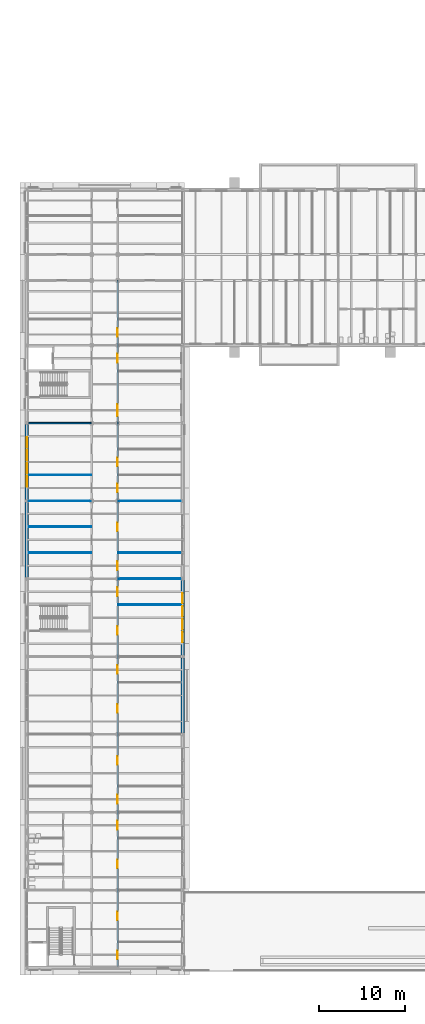
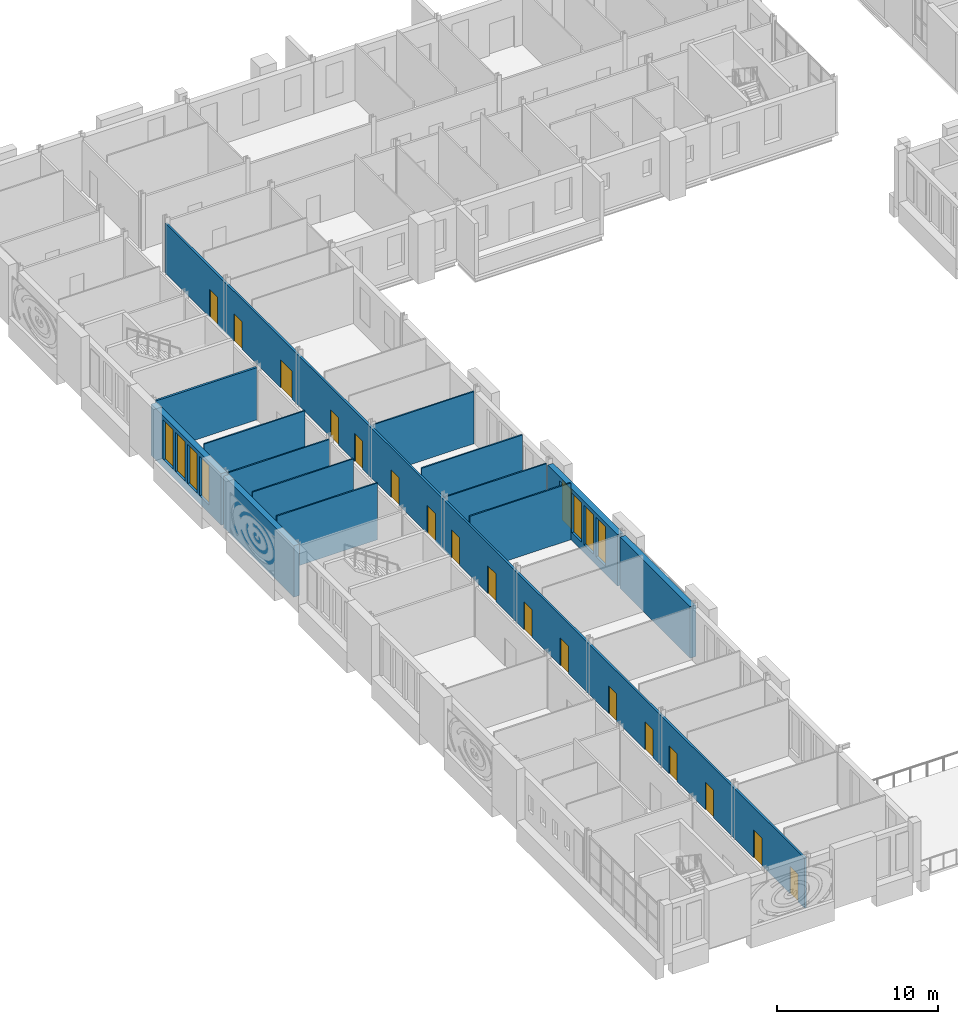
# One storey, part 72 of 134: 17 doors, 14 walls, 8 windows, 25 openings.
"""IFC4 building model written with IfcOpenShell, lengths in metres."""

from ifc_helpers import new_model, si_unit, direction, frame, frame_2d, origin, place, context, subcontext, project, spatial, rectangle, extrude, material, layer, layer_set, type_object, element, fill, save


model = new_model("IFC4")

# Units and contexts
model_context = context("Model", 3, precision=1e-05, world=origin(), true_north=direction((0.0, 1.0)))
body_context = subcontext(model_context, "Body", "Model", "MODEL_VIEW")
ifc_project = project(units=[si_unit("LENGTHUNIT", "METRE"), si_unit("AREAUNIT", "SQUARE_METRE"), si_unit("VOLUMEUNIT", "CUBIC_METRE"), si_unit("PLANEANGLEUNIT", "RADIAN"), si_unit("MASSUNIT", "GRAM", prefix="KILO")], contexts=[model_context])

# Site, building, storey
site_placement = place(None, origin())
site = spatial("IfcSite", under=ifc_project, at=site_placement, CompositionType="ELEMENT")
building_placement = place(site_placement, origin())
building = spatial("IfcBuilding", under=site, at=building_placement, Name="Golden Quay Civic Hall", CompositionType="ELEMENT")
storey_placement = place(building_placement, frame((0.0, 0.0, 5.39990234375)))
storey = spatial("IfcBuildingStorey", under=building, at=storey_placement, Name="L01", CompositionType="ELEMENT", Elevation=5.39990234375)

# Walls
ifc_material_1 = material(Name="Plasterboard on steel studs", Category="steel")
ifc_layer_1 = layer(ifc_material_1, 0.10009765625)
ifc_layer_set_1 = layer_set([ifc_layer_1], Name="Partition 100 stud")
wall_type_1 = type_object("IfcWallType", Name="Partition 100 stud", PredefinedType="PARTITIONING", material=ifc_layer_set_1)
for number, where, z_axis, x_axis, name in (
    (1, (0.199951171875, 39.0, 0.0), (0.0, 0.0, 1.0), (1.0, 0.0, 0.0), "Partition L01-005"),
    (2, (0.199951171875, 42.0, 0.0), (0.0, 0.0, 1.0), (1.0, 0.0, 0.0), "Partition L01-006"),
):
    element("IfcWall", number, at=place(storey_placement, frame(where, z_axis=z_axis, x_axis=x_axis)), inside=storey, type_object=wall_type_1, Name=name, PredefinedType="PARTITIONING", context=body_context, shape_type="SweptSolid", body=[
        extrude(rectangle(XDim=7.22509765625, YDim=0.10009765625, at=frame_2d((3.612548828125, 0.0))), origin(), (0.0, 0.0, 1.0), 4.300048828125),
    ])
wall_1_placement = place(storey_placement, frame((0.199951171875, 45.0, 0.0), z_axis=(0.0, 0.0, 1.0), x_axis=(1.0, 0.0, 0.0)))
element("IfcWall", 3, at=wall_1_placement, inside=storey, type_object=wall_type_1, Name="Partition L01-007", PredefinedType="PARTITIONING", context=body_context, shape_type="SweptSolid", body=[
    extrude(rectangle(XDim=7.22509765625, YDim=0.10009765625, at=frame_2d((3.612548828125, 0.0))), origin(), (0.0, 0.0, 1.0), 3.9501953125),
])
for number, where, z_axis, x_axis, name in (
    (4, (0.199951171875, 48.0, 0.0), (0.0, 0.0, 1.0), (1.0, 0.0, 0.0), "Partition L01-008"),
    (5, (10.574951171875, 33.0, 0.0), (0.0, 0.0, 1.0), (1.0, 0.0, 0.0), "Partition L01-018"),
):
    element("IfcWall", number, at=place(storey_placement, frame(where, z_axis=z_axis, x_axis=x_axis)), inside=storey, type_object=wall_type_1, Name=name, PredefinedType="PARTITIONING", context=body_context, shape_type="SweptSolid", body=[
        extrude(rectangle(XDim=7.22509765625, YDim=0.10009765625, at=frame_2d((3.612548828125, 0.0))), origin(), (0.0, 0.0, 1.0), 4.300048828125),
    ])
wall_2_placement = place(storey_placement, frame((10.574951171875, 36.0, 0.0), z_axis=(0.0, 0.0, 1.0), x_axis=(1.0, 0.0, 0.0)))
element("IfcWall", 6, at=wall_2_placement, inside=storey, type_object=wall_type_1, Name="Partition L01-019", PredefinedType="PARTITIONING", context=body_context, shape_type="SweptSolid", body=[
    extrude(rectangle(XDim=7.22509765625, YDim=0.10009765625, at=frame_2d((3.612548828125, 0.0))), origin(), (0.0, 0.0, 1.0), 3.9501953125),
])
wall_3_placement = place(storey_placement, frame((10.574951171875, 39.0, 0.0), z_axis=(0.0, 0.0, 1.0), x_axis=(1.0, 0.0, 0.0)))
element("IfcWall", 7, at=wall_3_placement, inside=storey, type_object=wall_type_1, Name="Partition L01-020", PredefinedType="PARTITIONING", context=body_context, shape_type="SweptSolid", body=[
    extrude(rectangle(XDim=7.22509765625, YDim=0.10009765625, at=frame_2d((3.612548828125, 0.0))), origin(), (0.0, 0.0, 1.0), 4.300048828125),
])
wall_4_placement = place(storey_placement, frame((10.574951171875, 45.0, 0.0), z_axis=(0.0, 0.0, 1.0), x_axis=(1.0, 0.0, 0.0)))
element("IfcWall", 8, at=wall_4_placement, inside=storey, type_object=wall_type_1, Name="Partition L01-021", PredefinedType="PARTITIONING", context=body_context, shape_type="SweptSolid", body=[
    extrude(rectangle(XDim=7.22509765625, YDim=0.10009765625, at=frame_2d((3.612548828125, 0.0))), origin(), (0.0, 0.0, 1.0), 3.9501953125),
])
ifc_material_2 = material(Name="Plasterboard on steel studs", Category="steel")
ifc_layer_2 = layer(ifc_material_2, 0.14990234375)
ifc_layer_set_2 = layer_set([ifc_layer_2], Name="Partition 150 stud fire EI 60")
wall_type_2 = type_object("IfcWallType", Name="Partition 150 stud fire EI 60", PredefinedType="PARTITIONING", material=ifc_layer_set_2)
wall_5_placement = place(storey_placement, frame((0.199951171875, 54.0, 0.0), z_axis=(0.0, 0.0, 1.0), x_axis=(1.0, 0.0, 0.0)))
element("IfcWall", 9, at=wall_5_placement, inside=storey, type_object=wall_type_2, Name="Partition L01-009", PredefinedType="PARTITIONING", context=body_context, shape_type="SweptSolid", body=[
    extrude(rectangle(XDim=7.22509765625, YDim=0.14990234375, at=frame_2d((3.612548828125, 0.0))), origin(), (0.0, 0.0, 1.0), 3.9501953125),
])

# Wall, openings, doors
wall_6_placement = place(storey_placement, frame((10.5, -8.800048828125, 0.0), z_axis=(0.0, 0.0, 1.0), x_axis=(0.0, 1.0, 0.0)))
wall_6 = element("IfcWall", 10, at=wall_6_placement, inside=storey, type_object=wall_type_2, Name="Partition L01-029", PredefinedType="PARTITIONING", context=body_context, shape_type="SweptSolid", body=[
    extrude(rectangle(XDim=79.300048828125, YDim=0.14990234375, at=frame_2d((39.64990234375, 0.0))), origin(), (0.0, 0.0, 1.0), 3.780029296875),
])
opening_1_placement = place(wall_6_placement, frame((0.800048828125, 0.0, 0.0)))
opening_1 = element("IfcOpeningElement", 11, at=opening_1_placement, cuts=wall_6, Name="Opening L01-D032", PredefinedType="OPENING", context=body_context, shape_type="SweptSolid", body=[
    extrude(rectangle(XDim=1.0, YDim=2.10009765625, at=frame_2d((0.5, 1.050048828125))), frame((0.0, 0.0849609375, 0.0), z_axis=(0.0, -1.0, 0.0), x_axis=(1.0, 0.0, 0.0)), (0.0, 0.0, 1.0), 0.169921875),
])
opening_2_placement = place(wall_6_placement, frame((5.300048828125, 0.0, 0.0)))
opening_2 = element("IfcOpeningElement", 12, at=opening_2_placement, cuts=wall_6, Name="Opening L01-D033", PredefinedType="OPENING", context=body_context, shape_type="SweptSolid", body=[
    extrude(rectangle(XDim=1.0, YDim=2.10009765625, at=frame_2d((0.5, 1.050048828125))), frame((0.0, 0.0849609375, 0.0), z_axis=(0.0, -1.0, 0.0), x_axis=(1.0, 0.0, 0.0)), (0.0, 0.0, 1.0), 0.169921875),
])
opening_3_placement = place(wall_6_placement, frame((11.300048828125, 0.0, 0.0)))
opening_3 = element("IfcOpeningElement", 13, at=opening_3_placement, cuts=wall_6, Name="Opening L01-D034", PredefinedType="OPENING", context=body_context, shape_type="SweptSolid", body=[
    extrude(rectangle(XDim=1.0, YDim=2.10009765625, at=frame_2d((0.5, 1.050048828125))), frame((0.0, 0.0849609375, 0.0), z_axis=(0.0, -1.0, 0.0), x_axis=(1.0, 0.0, 0.0)), (0.0, 0.0, 1.0), 0.169921875),
])
opening_4_placement = place(wall_6_placement, frame((15.800048828125, 0.0, 0.0)))
opening_4 = element("IfcOpeningElement", 14, at=opening_4_placement, cuts=wall_6, Name="Opening L01-D035", PredefinedType="OPENING", context=body_context, shape_type="SweptSolid", body=[
    extrude(rectangle(XDim=1.0, YDim=2.10009765625, at=frame_2d((0.5, 1.050048828125))), frame((0.0, 0.0849609375, 0.0), z_axis=(0.0, -1.0, 0.0), x_axis=(1.0, 0.0, 0.0)), (0.0, 0.0, 1.0), 0.169921875),
])
opening_5_placement = place(wall_6_placement, frame((18.800048828125, 0.0, 0.0)))
opening_5 = element("IfcOpeningElement", 15, at=opening_5_placement, cuts=wall_6, Name="Opening L01-D036", PredefinedType="OPENING", context=body_context, shape_type="SweptSolid", body=[
    extrude(rectangle(XDim=1.0, YDim=2.10009765625, at=frame_2d((0.5, 1.050048828125))), frame((0.0, 0.0849609375, 0.0), z_axis=(0.0, -1.0, 0.0), x_axis=(1.0, 0.0, 0.0)), (0.0, 0.0, 1.0), 0.169921875),
])
opening_6_placement = place(wall_6_placement, frame((23.300048828125, 0.0, 0.0)))
opening_6 = element("IfcOpeningElement", 16, at=opening_6_placement, cuts=wall_6, Name="Opening L01-D037", PredefinedType="OPENING", context=body_context, shape_type="SweptSolid", body=[
    extrude(rectangle(XDim=1.0, YDim=2.10009765625, at=frame_2d((0.5, 1.050048828125))), frame((0.0, 0.0849609375, 0.0), z_axis=(0.0, -1.0, 0.0), x_axis=(1.0, 0.0, 0.0)), (0.0, 0.0, 1.0), 0.169921875),
])
opening_7_placement = place(wall_6_placement, frame((29.300048828125, 0.0, 0.0)))
opening_7 = element("IfcOpeningElement", 17, at=opening_7_placement, cuts=wall_6, Name="Opening L01-D038", PredefinedType="OPENING", context=body_context, shape_type="SweptSolid", body=[
    extrude(rectangle(XDim=1.0, YDim=2.10009765625, at=frame_2d((0.5, 1.050048828125))), frame((0.0, 0.0849609375, 0.0), z_axis=(0.0, -1.0, 0.0), x_axis=(1.0, 0.0, 0.0)), (0.0, 0.0, 1.0), 0.169921875),
])
opening_8_placement = place(wall_6_placement, frame((33.800048828125, 0.0, 0.0)))
opening_8 = element("IfcOpeningElement", 18, at=opening_8_placement, cuts=wall_6, Name="Opening L01-D039", PredefinedType="OPENING", context=body_context, shape_type="SweptSolid", body=[
    extrude(rectangle(XDim=1.0, YDim=2.10009765625, at=frame_2d((0.5, 1.050048828125))), frame((0.0, 0.0849609375, 0.0), z_axis=(0.0, -1.0, 0.0), x_axis=(1.0, 0.0, 0.0)), (0.0, 0.0, 1.0), 0.169921875),
])
opening_9_placement = place(wall_6_placement, frame((38.300048828125, 0.0, 0.0)))
opening_9 = element("IfcOpeningElement", 19, at=opening_9_placement, cuts=wall_6, Name="Opening L01-D040", PredefinedType="OPENING", context=body_context, shape_type="SweptSolid", body=[
    extrude(rectangle(XDim=1.0, YDim=2.10009765625, at=frame_2d((0.5, 1.050048828125))), frame((0.0, 0.0849609375, 0.0), z_axis=(0.0, -1.0, 0.0), x_axis=(1.0, 0.0, 0.0)), (0.0, 0.0, 1.0), 0.169921875),
])
opening_10_placement = place(wall_6_placement, frame((42.800048828125, 0.0, 0.0)))
opening_10 = element("IfcOpeningElement", 20, at=opening_10_placement, cuts=wall_6, Name="Opening L01-D041", PredefinedType="OPENING", context=body_context, shape_type="SweptSolid", body=[
    extrude(rectangle(XDim=1.0, YDim=2.10009765625, at=frame_2d((0.5, 1.050048828125))), frame((0.0, 0.0849609375, 0.0), z_axis=(0.0, -1.0, 0.0), x_axis=(1.0, 0.0, 0.0)), (0.0, 0.0, 1.0), 0.169921875),
])
opening_11_placement = place(wall_6_placement, frame((45.800048828125, 0.0, 0.0)))
opening_11 = element("IfcOpeningElement", 21, at=opening_11_placement, cuts=wall_6, Name="Opening L01-D042", PredefinedType="OPENING", context=body_context, shape_type="SweptSolid", body=[
    extrude(rectangle(XDim=1.0, YDim=2.10009765625, at=frame_2d((0.5, 1.050048828125))), frame((0.0, 0.0849609375, 0.0), z_axis=(0.0, -1.0, 0.0), x_axis=(1.0, 0.0, 0.0)), (0.0, 0.0, 1.0), 0.169921875),
])
opening_12_placement = place(wall_6_placement, frame((50.300048828125, 0.0, 0.0)))
opening_12 = element("IfcOpeningElement", 22, at=opening_12_placement, cuts=wall_6, Name="Opening L01-D043", PredefinedType="OPENING", context=body_context, shape_type="SweptSolid", body=[
    extrude(rectangle(XDim=1.0, YDim=2.10009765625, at=frame_2d((0.5, 1.050048828125))), frame((0.0, 0.0849609375, 0.0), z_axis=(0.0, -1.0, 0.0), x_axis=(1.0, 0.0, 0.0)), (0.0, 0.0, 1.0), 0.169921875),
])
opening_13_placement = place(wall_6_placement, frame((54.800048828125, 0.0, 0.0)))
opening_13 = element("IfcOpeningElement", 23, at=opening_13_placement, cuts=wall_6, Name="Opening L01-D044", PredefinedType="OPENING", context=body_context, shape_type="SweptSolid", body=[
    extrude(rectangle(XDim=1.0, YDim=2.10009765625, at=frame_2d((0.5, 1.050048828125))), frame((0.0, 0.0849609375, 0.0), z_axis=(0.0, -1.0, 0.0), x_axis=(1.0, 0.0, 0.0)), (0.0, 0.0, 1.0), 0.169921875),
])
opening_14_placement = place(wall_6_placement, frame((57.800048828125, 0.0, 0.0)))
opening_14 = element("IfcOpeningElement", 24, at=opening_14_placement, cuts=wall_6, Name="Opening L01-D045", PredefinedType="OPENING", context=body_context, shape_type="SweptSolid", body=[
    extrude(rectangle(XDim=1.0, YDim=2.10009765625, at=frame_2d((0.5, 1.050048828125))), frame((0.0, 0.0849609375, 0.0), z_axis=(0.0, -1.0, 0.0), x_axis=(1.0, 0.0, 0.0)), (0.0, 0.0, 1.0), 0.169921875),
])
opening_15_placement = place(wall_6_placement, frame((63.60009765625, 0.0, 0.0)))
opening_15 = element("IfcOpeningElement", 25, at=opening_15_placement, cuts=wall_6, Name="Opening L01-D046", PredefinedType="OPENING", context=body_context, shape_type="SweptSolid", body=[
    extrude(rectangle(XDim=1.39990234375, YDim=2.10009765625, at=frame_2d((0.699951171875, 1.050048828125))), frame((0.0, 0.0849609375, 0.0), z_axis=(0.0, -1.0, 0.0), x_axis=(1.0, 0.0, 0.0)), (0.0, 0.0, 1.0), 0.169921875),
])
opening_16_placement = place(wall_6_placement, frame((69.800048828125, 0.0, 0.0)))
opening_16 = element("IfcOpeningElement", 26, at=opening_16_placement, cuts=wall_6, Name="Opening L01-D047", PredefinedType="OPENING", context=body_context, shape_type="SweptSolid", body=[
    extrude(rectangle(XDim=1.0, YDim=2.10009765625, at=frame_2d((0.5, 1.050048828125))), frame((0.0, 0.0849609375, 0.0), z_axis=(0.0, -1.0, 0.0), x_axis=(1.0, 0.0, 0.0)), (0.0, 0.0, 1.0), 0.169921875),
])
opening_17_placement = place(wall_6_placement, frame((72.800048828125, 0.0, 0.0)))
opening_17 = element("IfcOpeningElement", 27, at=opening_17_placement, cuts=wall_6, Name="Opening L01-D062", PredefinedType="OPENING", context=body_context, shape_type="SweptSolid", body=[
    extrude(rectangle(XDim=1.0, YDim=2.10009765625, at=frame_2d((0.5, 1.050048828125))), frame((0.0, 0.0849609375, 0.0), z_axis=(0.0, -1.0, 0.0), x_axis=(1.0, 0.0, 0.0)), (0.0, 0.0, 1.0), 0.169921875),
])
ifc_material_3 = material(Name="Steel", Category="steel")
door_type_1 = type_object("IfcDoorType", Name="Steel double fire door FD30S 1400 x 2100", OperationType="DOUBLE_DOOR_SINGLE_SWING", PredefinedType="DOOR", material=ifc_material_3)
door_1_placement = place(opening_15_placement, frame((1.39990234375, 0.0, 0.0), z_axis=(0.0, 0.0, 1.0), x_axis=(-1.0, 0.0, 0.0)))
door_1 = element("IfcDoor", 28, at=door_1_placement, inside=storey, type_object=door_type_1, Name="Door L01-D046", OperationType="DOUBLE_DOOR_SINGLE_SWING", OverallHeight=2.10009765625, OverallWidth=1.39990234375, PredefinedType="DOOR", context=body_context, shape_type="SweptSolid", body=[
    extrude(rectangle(XDim=1.39990234375, YDim=2.10009765625, at=frame_2d((0.699951171875, 1.050048828125))), frame((0.0, 0.025146484375, 0.0), z_axis=(0.0, -1.0, 0.0), x_axis=(1.0, 0.0, 0.0)), (0.0, 0.0, 1.0), 0.050048828125),
])
fill(opening_15, door_1)
ifc_material_4 = material(Name="Steel", Category="steel")
door_type_2 = type_object("IfcDoorType", Name="Steel fire door FD30S 1000 x 2100", OperationType="SINGLE_SWING_LEFT", PredefinedType="DOOR", material=ifc_material_4)
door_2_placement = place(opening_1_placement, frame((1.0, 0.0, 0.0), z_axis=(0.0, 0.0, 1.0), x_axis=(-1.0, 0.0, 0.0)))
door_2 = element("IfcDoor", 29, at=door_2_placement, inside=storey, type_object=door_type_2, Name="Door L01-D032", OperationType="SINGLE_SWING_RIGHT", OverallHeight=2.10009765625, OverallWidth=1.0, PredefinedType="DOOR", context=body_context, shape_type="SweptSolid", body=[
    extrude(rectangle(XDim=1.0, YDim=2.10009765625, at=frame_2d((0.5, 1.050048828125))), frame((0.0, 0.025146484375, 0.0), z_axis=(0.0, -1.0, 0.0), x_axis=(1.0, 0.0, 0.0)), (0.0, 0.0, 1.0), 0.050048828125),
])
fill(opening_1, door_2)
door_3_placement = place(opening_2_placement, frame((1.0, 0.0, 0.0), z_axis=(0.0, 0.0, 1.0), x_axis=(-1.0, 0.0, 0.0)))
door_3 = element("IfcDoor", 30, at=door_3_placement, inside=storey, type_object=door_type_2, Name="Door L01-D033", OperationType="SINGLE_SWING_RIGHT", OverallHeight=2.10009765625, OverallWidth=1.0, PredefinedType="DOOR", context=body_context, shape_type="SweptSolid", body=[
    extrude(rectangle(XDim=1.0, YDim=2.10009765625, at=frame_2d((0.5, 1.050048828125))), frame((0.0, 0.025146484375, 0.0), z_axis=(0.0, -1.0, 0.0), x_axis=(1.0, 0.0, 0.0)), (0.0, 0.0, 1.0), 0.050048828125),
])
fill(opening_2, door_3)
door_4_placement = place(opening_3_placement, frame((1.0, 0.0, 0.0), z_axis=(0.0, 0.0, 1.0), x_axis=(-1.0, 0.0, 0.0)))
door_4 = element("IfcDoor", 31, at=door_4_placement, inside=storey, type_object=door_type_2, Name="Door L01-D034", OperationType="SINGLE_SWING_RIGHT", OverallHeight=2.10009765625, OverallWidth=1.0, PredefinedType="DOOR", context=body_context, shape_type="SweptSolid", body=[
    extrude(rectangle(XDim=1.0, YDim=2.10009765625, at=frame_2d((0.5, 1.050048828125))), frame((0.0, 0.025146484375, 0.0), z_axis=(0.0, -1.0, 0.0), x_axis=(1.0, 0.0, 0.0)), (0.0, 0.0, 1.0), 0.050048828125),
])
fill(opening_3, door_4)
door_5_placement = place(opening_4_placement, frame((1.0, 0.0, 0.0), z_axis=(0.0, 0.0, 1.0), x_axis=(-1.0, 0.0, 0.0)))
door_5 = element("IfcDoor", 32, at=door_5_placement, inside=storey, type_object=door_type_2, Name="Door L01-D035", OperationType="SINGLE_SWING_RIGHT", OverallHeight=2.10009765625, OverallWidth=1.0, PredefinedType="DOOR", context=body_context, shape_type="SweptSolid", body=[
    extrude(rectangle(XDim=1.0, YDim=2.10009765625, at=frame_2d((0.5, 1.050048828125))), frame((0.0, 0.025146484375, 0.0), z_axis=(0.0, -1.0, 0.0), x_axis=(1.0, 0.0, 0.0)), (0.0, 0.0, 1.0), 0.050048828125),
])
fill(opening_4, door_5)
door_6_placement = place(opening_5_placement, frame((1.0, 0.0, 0.0), z_axis=(0.0, 0.0, 1.0), x_axis=(-1.0, 0.0, 0.0)))
door_6 = element("IfcDoor", 33, at=door_6_placement, inside=storey, type_object=door_type_2, Name="Door L01-D036", OperationType="SINGLE_SWING_RIGHT", OverallHeight=2.10009765625, OverallWidth=1.0, PredefinedType="DOOR", context=body_context, shape_type="SweptSolid", body=[
    extrude(rectangle(XDim=1.0, YDim=2.10009765625, at=frame_2d((0.5, 1.050048828125))), frame((0.0, 0.025146484375, 0.0), z_axis=(0.0, -1.0, 0.0), x_axis=(1.0, 0.0, 0.0)), (0.0, 0.0, 1.0), 0.050048828125),
])
fill(opening_5, door_6)
door_7_placement = place(opening_6_placement, frame((1.0, 0.0, 0.0), z_axis=(0.0, 0.0, 1.0), x_axis=(-1.0, 0.0, 0.0)))
door_7 = element("IfcDoor", 34, at=door_7_placement, inside=storey, type_object=door_type_2, Name="Door L01-D037", OperationType="SINGLE_SWING_RIGHT", OverallHeight=2.10009765625, OverallWidth=1.0, PredefinedType="DOOR", context=body_context, shape_type="SweptSolid", body=[
    extrude(rectangle(XDim=1.0, YDim=2.10009765625, at=frame_2d((0.5, 1.050048828125))), frame((0.0, 0.025146484375, 0.0), z_axis=(0.0, -1.0, 0.0), x_axis=(1.0, 0.0, 0.0)), (0.0, 0.0, 1.0), 0.050048828125),
])
fill(opening_6, door_7)
door_8_placement = place(opening_7_placement, frame((1.0, 0.0, 0.0), z_axis=(0.0, 0.0, 1.0), x_axis=(-1.0, 0.0, 0.0)))
door_8 = element("IfcDoor", 35, at=door_8_placement, inside=storey, type_object=door_type_2, Name="Door L01-D038", OperationType="SINGLE_SWING_RIGHT", OverallHeight=2.10009765625, OverallWidth=1.0, PredefinedType="DOOR", context=body_context, shape_type="SweptSolid", body=[
    extrude(rectangle(XDim=1.0, YDim=2.10009765625, at=frame_2d((0.5, 1.050048828125))), frame((0.0, 0.025146484375, 0.0), z_axis=(0.0, -1.0, 0.0), x_axis=(1.0, 0.0, 0.0)), (0.0, 0.0, 1.0), 0.050048828125),
])
fill(opening_7, door_8)
door_9_placement = place(opening_8_placement, frame((1.0, 0.0, 0.0), z_axis=(0.0, 0.0, 1.0), x_axis=(-1.0, 0.0, 0.0)))
door_9 = element("IfcDoor", 36, at=door_9_placement, inside=storey, type_object=door_type_2, Name="Door L01-D039", OperationType="SINGLE_SWING_RIGHT", OverallHeight=2.10009765625, OverallWidth=1.0, PredefinedType="DOOR", context=body_context, shape_type="SweptSolid", body=[
    extrude(rectangle(XDim=1.0, YDim=2.10009765625, at=frame_2d((0.5, 1.050048828125))), frame((0.0, 0.025146484375, 0.0), z_axis=(0.0, -1.0, 0.0), x_axis=(1.0, 0.0, 0.0)), (0.0, 0.0, 1.0), 0.050048828125),
])
fill(opening_8, door_9)
door_10_placement = place(opening_9_placement, frame((1.0, 0.0, 0.0), z_axis=(0.0, 0.0, 1.0), x_axis=(-1.0, 0.0, 0.0)))
door_10 = element("IfcDoor", 37, at=door_10_placement, inside=storey, type_object=door_type_2, Name="Door L01-D040", OperationType="SINGLE_SWING_RIGHT", OverallHeight=2.10009765625, OverallWidth=1.0, PredefinedType="DOOR", context=body_context, shape_type="SweptSolid", body=[
    extrude(rectangle(XDim=1.0, YDim=2.10009765625, at=frame_2d((0.5, 1.050048828125))), frame((0.0, 0.025146484375, 0.0), z_axis=(0.0, -1.0, 0.0), x_axis=(1.0, 0.0, 0.0)), (0.0, 0.0, 1.0), 0.050048828125),
])
fill(opening_9, door_10)
door_11_placement = place(opening_10_placement, frame((1.0, 0.0, 0.0), z_axis=(0.0, 0.0, 1.0), x_axis=(-1.0, 0.0, 0.0)))
door_11 = element("IfcDoor", 38, at=door_11_placement, inside=storey, type_object=door_type_2, Name="Door L01-D041", OperationType="SINGLE_SWING_RIGHT", OverallHeight=2.10009765625, OverallWidth=1.0, PredefinedType="DOOR", context=body_context, shape_type="SweptSolid", body=[
    extrude(rectangle(XDim=1.0, YDim=2.10009765625, at=frame_2d((0.5, 1.050048828125))), frame((0.0, 0.025146484375, 0.0), z_axis=(0.0, -1.0, 0.0), x_axis=(1.0, 0.0, 0.0)), (0.0, 0.0, 1.0), 0.050048828125),
])
fill(opening_10, door_11)
door_12_placement = place(opening_11_placement, frame((1.0, 0.0, 0.0), z_axis=(0.0, 0.0, 1.0), x_axis=(-1.0, 0.0, 0.0)))
door_12 = element("IfcDoor", 39, at=door_12_placement, inside=storey, type_object=door_type_2, Name="Door L01-D042", OperationType="SINGLE_SWING_RIGHT", OverallHeight=2.10009765625, OverallWidth=1.0, PredefinedType="DOOR", context=body_context, shape_type="SweptSolid", body=[
    extrude(rectangle(XDim=1.0, YDim=2.10009765625, at=frame_2d((0.5, 1.050048828125))), frame((0.0, 0.025146484375, 0.0), z_axis=(0.0, -1.0, 0.0), x_axis=(1.0, 0.0, 0.0)), (0.0, 0.0, 1.0), 0.050048828125),
])
fill(opening_11, door_12)
door_13_placement = place(opening_12_placement, frame((1.0, 0.0, 0.0), z_axis=(0.0, 0.0, 1.0), x_axis=(-1.0, 0.0, 0.0)))
door_13 = element("IfcDoor", 40, at=door_13_placement, inside=storey, type_object=door_type_2, Name="Door L01-D043", OperationType="SINGLE_SWING_RIGHT", OverallHeight=2.10009765625, OverallWidth=1.0, PredefinedType="DOOR", context=body_context, shape_type="SweptSolid", body=[
    extrude(rectangle(XDim=1.0, YDim=2.10009765625, at=frame_2d((0.5, 1.050048828125))), frame((0.0, 0.025146484375, 0.0), z_axis=(0.0, -1.0, 0.0), x_axis=(1.0, 0.0, 0.0)), (0.0, 0.0, 1.0), 0.050048828125),
])
fill(opening_12, door_13)
door_14_placement = place(opening_13_placement, frame((1.0, 0.0, 0.0), z_axis=(0.0, 0.0, 1.0), x_axis=(-1.0, 0.0, 0.0)))
door_14 = element("IfcDoor", 41, at=door_14_placement, inside=storey, type_object=door_type_2, Name="Door L01-D044", OperationType="SINGLE_SWING_RIGHT", OverallHeight=2.10009765625, OverallWidth=1.0, PredefinedType="DOOR", context=body_context, shape_type="SweptSolid", body=[
    extrude(rectangle(XDim=1.0, YDim=2.10009765625, at=frame_2d((0.5, 1.050048828125))), frame((0.0, 0.025146484375, 0.0), z_axis=(0.0, -1.0, 0.0), x_axis=(1.0, 0.0, 0.0)), (0.0, 0.0, 1.0), 0.050048828125),
])
fill(opening_13, door_14)
door_15_placement = place(opening_14_placement, frame((1.0, 0.0, 0.0), z_axis=(0.0, 0.0, 1.0), x_axis=(-1.0, 0.0, 0.0)))
door_15 = element("IfcDoor", 42, at=door_15_placement, inside=storey, type_object=door_type_2, Name="Door L01-D045", OperationType="SINGLE_SWING_RIGHT", OverallHeight=2.10009765625, OverallWidth=1.0, PredefinedType="DOOR", context=body_context, shape_type="SweptSolid", body=[
    extrude(rectangle(XDim=1.0, YDim=2.10009765625, at=frame_2d((0.5, 1.050048828125))), frame((0.0, 0.025146484375, 0.0), z_axis=(0.0, -1.0, 0.0), x_axis=(1.0, 0.0, 0.0)), (0.0, 0.0, 1.0), 0.050048828125),
])
fill(opening_14, door_15)
door_16_placement = place(opening_16_placement, frame((1.0, 0.0, 0.0), z_axis=(0.0, 0.0, 1.0), x_axis=(-1.0, 0.0, 0.0)))
door_16 = element("IfcDoor", 43, at=door_16_placement, inside=storey, type_object=door_type_2, Name="Door L01-D047", OperationType="SINGLE_SWING_RIGHT", OverallHeight=2.10009765625, OverallWidth=1.0, PredefinedType="DOOR", context=body_context, shape_type="SweptSolid", body=[
    extrude(rectangle(XDim=1.0, YDim=2.10009765625, at=frame_2d((0.5, 1.050048828125))), frame((0.0, 0.025146484375, 0.0), z_axis=(0.0, -1.0, 0.0), x_axis=(1.0, 0.0, 0.0)), (0.0, 0.0, 1.0), 0.050048828125),
])
fill(opening_16, door_16)
door_17_placement = place(opening_17_placement, frame((1.0, 0.0, 0.0), z_axis=(0.0, 0.0, 1.0), x_axis=(-1.0, 0.0, 0.0)))
door_17 = element("IfcDoor", 44, at=door_17_placement, inside=storey, type_object=door_type_2, Name="Door L01-D062", OperationType="SINGLE_SWING_RIGHT", OverallHeight=2.10009765625, OverallWidth=1.0, PredefinedType="DOOR", context=body_context, shape_type="SweptSolid", body=[
    extrude(rectangle(XDim=1.0, YDim=2.10009765625, at=frame_2d((0.5, 1.050048828125))), frame((0.0, 0.025146484375, 0.0), z_axis=(0.0, -1.0, 0.0), x_axis=(1.0, 0.0, 0.0)), (0.0, 0.0, 1.0), 0.050048828125),
])
fill(opening_17, door_17)

# Wall
ifc_material_5 = material(Name="Clay block, rendered, cream")
ifc_layer_3 = layer(ifc_material_5, 0.39990234375)
ifc_layer_set_3 = layer_set([ifc_layer_3], Name="Rendered block external wall 400")
wall_type_3 = type_object("IfcWallType", Name="Rendered block external wall 400", PredefinedType="STANDARD", material=ifc_layer_set_3)
wall_7_placement = place(storey_placement, frame((0.0, 36.14990234375, 0.0), z_axis=(0.0, 0.0, 1.0), x_axis=(0.0, 1.0, 0.0)))
element("IfcWall", 45, at=wall_7_placement, inside=storey, type_object=wall_type_3, Name="Rendered block external wall 400 L01 4", PredefinedType="STANDARD", context=body_context, shape_type="SweptSolid", body=[
    extrude(rectangle(XDim=8.7001953125, YDim=0.39990234375, at=frame_2d((4.35009765625, 0.0))), origin(), (0.0, 0.0, 1.0), 3.900146484375),
])

# Wall, openings, windows
wall_8_placement = place(storey_placement, frame((0.0, 45.14990234375, 0.0), z_axis=(0.0, 0.0, 1.0), x_axis=(0.0, 1.0, 0.0)))
wall_8 = element("IfcWall", 46, at=wall_8_placement, inside=storey, type_object=wall_type_3, Name="Rendered block external wall 400 L01 5", PredefinedType="STANDARD", context=body_context, shape_type="SweptSolid", body=[
    extrude(rectangle(XDim=8.7001953125, YDim=0.39990234375, at=frame_2d((4.35009765625, 0.0))), origin(), (0.0, 0.0, 1.0), 3.900146484375),
])
opening_18_placement = place(wall_8_placement, frame((1.5, 0.0, 0.60009765625)))
opening_18 = element("IfcOpeningElement", 47, at=opening_18_placement, cuts=wall_8, Name="Opening WN5", PredefinedType="OPENING", context=body_context, shape_type="SweptSolid", body=[
    extrude(rectangle(XDim=1.199951171875, YDim=3.0, at=frame_2d((0.60009765625, 1.5))), frame((0.0, 0.2099609375, 0.0), z_axis=(0.0, -1.0, 0.0), x_axis=(1.0, 0.0, 0.0)), (0.0, 0.0, 1.0), 0.419921875),
])
opening_19_placement = place(wall_8_placement, frame((3.0, 0.0, 0.60009765625)))
opening_19 = element("IfcOpeningElement", 48, at=opening_19_placement, cuts=wall_8, Name="Opening WN5", PredefinedType="OPENING", context=body_context, shape_type="SweptSolid", body=[
    extrude(rectangle(XDim=1.199951171875, YDim=3.0, at=frame_2d((0.60009765625, 1.5))), frame((0.0, 0.2099609375, 0.0), z_axis=(0.0, -1.0, 0.0), x_axis=(1.0, 0.0, 0.0)), (0.0, 0.0, 1.0), 0.419921875),
])
opening_20_placement = place(wall_8_placement, frame((4.5, 0.0, 0.60009765625)))
opening_20 = element("IfcOpeningElement", 49, at=opening_20_placement, cuts=wall_8, Name="Opening WN5", PredefinedType="OPENING", context=body_context, shape_type="SweptSolid", body=[
    extrude(rectangle(XDim=1.199951171875, YDim=3.0, at=frame_2d((0.60009765625, 1.5))), frame((0.0, 0.2099609375, 0.0), z_axis=(0.0, -1.0, 0.0), x_axis=(1.0, 0.0, 0.0)), (0.0, 0.0, 1.0), 0.419921875),
])
opening_21_placement = place(wall_8_placement, frame((6.0, 0.0, 0.60009765625)))
opening_21 = element("IfcOpeningElement", 50, at=opening_21_placement, cuts=wall_8, Name="Opening WN5", PredefinedType="OPENING", context=body_context, shape_type="SweptSolid", body=[
    extrude(rectangle(XDim=1.199951171875, YDim=3.0, at=frame_2d((0.60009765625, 1.5))), frame((0.0, 0.2099609375, 0.0), z_axis=(0.0, -1.0, 0.0), x_axis=(1.0, 0.0, 0.0)), (0.0, 0.0, 1.0), 0.419921875),
])
ifc_material_6 = material(Name="Aluminium frame, double glazed", Category="aluminium")
window_type = type_object("IfcWindowType", Name="Golden grid window 1200 x 3000", PartitioningType="SINGLE_PANEL", PredefinedType="WINDOW", material=ifc_material_6)
window_1_placement = place(opening_18_placement, origin())
window_1 = element("IfcWindow", 51, at=window_1_placement, inside=storey, type_object=window_type, Name="Golden grid window 1200 x 3000 L01 5", OverallHeight=3.0, OverallWidth=1.199951171875, PartitioningType="SINGLE_PANEL", PredefinedType="WINDOW", context=body_context, shape_type="SweptSolid", body=[
    extrude(rectangle(XDim=1.199951171875, YDim=3.0, at=frame_2d((0.60009765625, 1.5))), frame((0.0, 0.030029296875, 0.0), z_axis=(0.0, -1.0, 0.0), x_axis=(1.0, 0.0, 0.0)), (0.0, 0.0, 1.0), 0.06005859375),
])
fill(opening_18, window_1)
window_2_placement = place(opening_19_placement, origin())
window_2 = element("IfcWindow", 52, at=window_2_placement, inside=storey, type_object=window_type, Name="Golden grid window 1200 x 3000 L01 6", OverallHeight=3.0, OverallWidth=1.199951171875, PartitioningType="SINGLE_PANEL", PredefinedType="WINDOW", context=body_context, shape_type="SweptSolid", body=[
    extrude(rectangle(XDim=1.199951171875, YDim=3.0, at=frame_2d((0.60009765625, 1.5))), frame((0.0, 0.030029296875, 0.0), z_axis=(0.0, -1.0, 0.0), x_axis=(1.0, 0.0, 0.0)), (0.0, 0.0, 1.0), 0.06005859375),
])
fill(opening_19, window_2)
window_3_placement = place(opening_20_placement, origin())
window_3 = element("IfcWindow", 53, at=window_3_placement, inside=storey, type_object=window_type, Name="Golden grid window 1200 x 3000 L01 7", OverallHeight=3.0, OverallWidth=1.199951171875, PartitioningType="SINGLE_PANEL", PredefinedType="WINDOW", context=body_context, shape_type="SweptSolid", body=[
    extrude(rectangle(XDim=1.199951171875, YDim=3.0, at=frame_2d((0.60009765625, 1.5))), frame((0.0, 0.030029296875, 0.0), z_axis=(0.0, -1.0, 0.0), x_axis=(1.0, 0.0, 0.0)), (0.0, 0.0, 1.0), 0.06005859375),
])
fill(opening_20, window_3)
window_4_placement = place(opening_21_placement, origin())
window_4 = element("IfcWindow", 54, at=window_4_placement, inside=storey, type_object=window_type, Name="Golden grid window 1200 x 3000 L01 8", OverallHeight=3.0, OverallWidth=1.199951171875, PartitioningType="SINGLE_PANEL", PredefinedType="WINDOW", context=body_context, shape_type="SweptSolid", body=[
    extrude(rectangle(XDim=1.199951171875, YDim=3.0, at=frame_2d((0.60009765625, 1.5))), frame((0.0, 0.030029296875, 0.0), z_axis=(0.0, -1.0, 0.0), x_axis=(1.0, 0.0, 0.0)), (0.0, 0.0, 1.0), 0.06005859375),
])
fill(opening_21, window_4)

# Wall
wall_9_placement = place(storey_placement, frame((18.0, 26.85009765625, 0.0), z_axis=(0.0, 0.0, 1.0), x_axis=(0.0, -1.0, 0.0)))
element("IfcWall", 55, at=wall_9_placement, inside=storey, type_object=wall_type_3, Name="Rendered block external wall 400 L01 15", PredefinedType="STANDARD", context=body_context, shape_type="SweptSolid", body=[
    extrude(rectangle(XDim=8.7001953125, YDim=0.39990234375, at=frame_2d((4.35009765625, 0.0))), origin(), (0.0, 0.0, 1.0), 3.900146484375),
])

# Wall, openings, windows
wall_10_placement = place(storey_placement, frame((18.0, 35.85009765625, 0.0), z_axis=(0.0, 0.0, 1.0), x_axis=(0.0, -1.0, 0.0)))
wall_10 = element("IfcWall", 56, at=wall_10_placement, inside=storey, type_object=wall_type_3, Name="Rendered block external wall 400 L01 16", PredefinedType="STANDARD", context=body_context, shape_type="SweptSolid", body=[
    extrude(rectangle(XDim=8.7001953125, YDim=0.39990234375, at=frame_2d((4.35009765625, 0.0))), origin(), (0.0, 0.0, 1.0), 3.900146484375),
])
opening_22_placement = place(wall_10_placement, frame((6.0, 0.0, 0.60009765625)))
opening_22 = element("IfcOpeningElement", 57, at=opening_22_placement, cuts=wall_10, Name="Opening WN5", PredefinedType="OPENING", context=body_context, shape_type="SweptSolid", body=[
    extrude(rectangle(XDim=1.199951171875, YDim=3.0, at=frame_2d((0.60009765625, 1.5))), frame((0.0, 0.2099609375, 0.0), z_axis=(0.0, -1.0, 0.0), x_axis=(1.0, 0.0, 0.0)), (0.0, 0.0, 1.0), 0.419921875),
])
opening_23_placement = place(wall_10_placement, frame((4.5, 0.0, 0.60009765625)))
opening_23 = element("IfcOpeningElement", 58, at=opening_23_placement, cuts=wall_10, Name="Opening WN5", PredefinedType="OPENING", context=body_context, shape_type="SweptSolid", body=[
    extrude(rectangle(XDim=1.199951171875, YDim=3.0, at=frame_2d((0.60009765625, 1.5))), frame((0.0, 0.2099609375, 0.0), z_axis=(0.0, -1.0, 0.0), x_axis=(1.0, 0.0, 0.0)), (0.0, 0.0, 1.0), 0.419921875),
])
opening_24_placement = place(wall_10_placement, frame((3.0, 0.0, 0.60009765625)))
opening_24 = element("IfcOpeningElement", 59, at=opening_24_placement, cuts=wall_10, Name="Opening WN5", PredefinedType="OPENING", context=body_context, shape_type="SweptSolid", body=[
    extrude(rectangle(XDim=1.199951171875, YDim=3.0, at=frame_2d((0.60009765625, 1.5))), frame((0.0, 0.2099609375, 0.0), z_axis=(0.0, -1.0, 0.0), x_axis=(1.0, 0.0, 0.0)), (0.0, 0.0, 1.0), 0.419921875),
])
opening_25_placement = place(wall_10_placement, frame((1.5, 0.0, 0.60009765625)))
opening_25 = element("IfcOpeningElement", 60, at=opening_25_placement, cuts=wall_10, Name="Opening WN5", PredefinedType="OPENING", context=body_context, shape_type="SweptSolid", body=[
    extrude(rectangle(XDim=1.199951171875, YDim=3.0, at=frame_2d((0.60009765625, 1.5))), frame((0.0, 0.2099609375, 0.0), z_axis=(0.0, -1.0, 0.0), x_axis=(1.0, 0.0, 0.0)), (0.0, 0.0, 1.0), 0.419921875),
])
window_5_placement = place(opening_22_placement, origin())
window_5 = element("IfcWindow", 61, at=window_5_placement, inside=storey, type_object=window_type, Name="Golden grid window 1200 x 3000 L01 24", OverallHeight=3.0, OverallWidth=1.199951171875, PartitioningType="SINGLE_PANEL", PredefinedType="WINDOW", context=body_context, shape_type="SweptSolid", body=[
    extrude(rectangle(XDim=1.199951171875, YDim=3.0, at=frame_2d((0.60009765625, 1.5))), frame((0.0, 0.030029296875, 0.0), z_axis=(0.0, -1.0, 0.0), x_axis=(1.0, 0.0, 0.0)), (0.0, 0.0, 1.0), 0.06005859375),
])
fill(opening_22, window_5)
window_6_placement = place(opening_23_placement, origin())
window_6 = element("IfcWindow", 62, at=window_6_placement, inside=storey, type_object=window_type, Name="Golden grid window 1200 x 3000 L01 25", OverallHeight=3.0, OverallWidth=1.199951171875, PartitioningType="SINGLE_PANEL", PredefinedType="WINDOW", context=body_context, shape_type="SweptSolid", body=[
    extrude(rectangle(XDim=1.199951171875, YDim=3.0, at=frame_2d((0.60009765625, 1.5))), frame((0.0, 0.030029296875, 0.0), z_axis=(0.0, -1.0, 0.0), x_axis=(1.0, 0.0, 0.0)), (0.0, 0.0, 1.0), 0.06005859375),
])
fill(opening_23, window_6)
window_7_placement = place(opening_24_placement, origin())
window_7 = element("IfcWindow", 63, at=window_7_placement, inside=storey, type_object=window_type, Name="Golden grid window 1200 x 3000 L01 26", OverallHeight=3.0, OverallWidth=1.199951171875, PartitioningType="SINGLE_PANEL", PredefinedType="WINDOW", context=body_context, shape_type="SweptSolid", body=[
    extrude(rectangle(XDim=1.199951171875, YDim=3.0, at=frame_2d((0.60009765625, 1.5))), frame((0.0, 0.030029296875, 0.0), z_axis=(0.0, -1.0, 0.0), x_axis=(1.0, 0.0, 0.0)), (0.0, 0.0, 1.0), 0.06005859375),
])
fill(opening_24, window_7)
window_8_placement = place(opening_25_placement, origin())
window_8 = element("IfcWindow", 64, at=window_8_placement, inside=storey, type_object=window_type, Name="Golden grid window 1200 x 3000 L01 27", OverallHeight=3.0, OverallWidth=1.199951171875, PartitioningType="SINGLE_PANEL", PredefinedType="WINDOW", context=body_context, shape_type="SweptSolid", body=[
    extrude(rectangle(XDim=1.199951171875, YDim=3.0, at=frame_2d((0.60009765625, 1.5))), frame((0.0, 0.030029296875, 0.0), z_axis=(0.0, -1.0, 0.0), x_axis=(1.0, 0.0, 0.0)), (0.0, 0.0, 1.0), 0.06005859375),
])
fill(opening_25, window_8)

save(model, "model.ifc")
